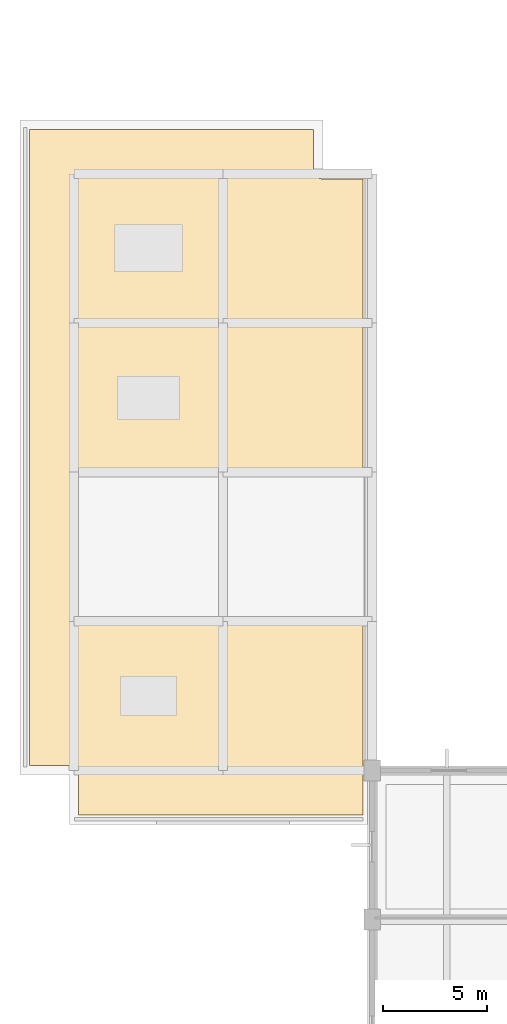
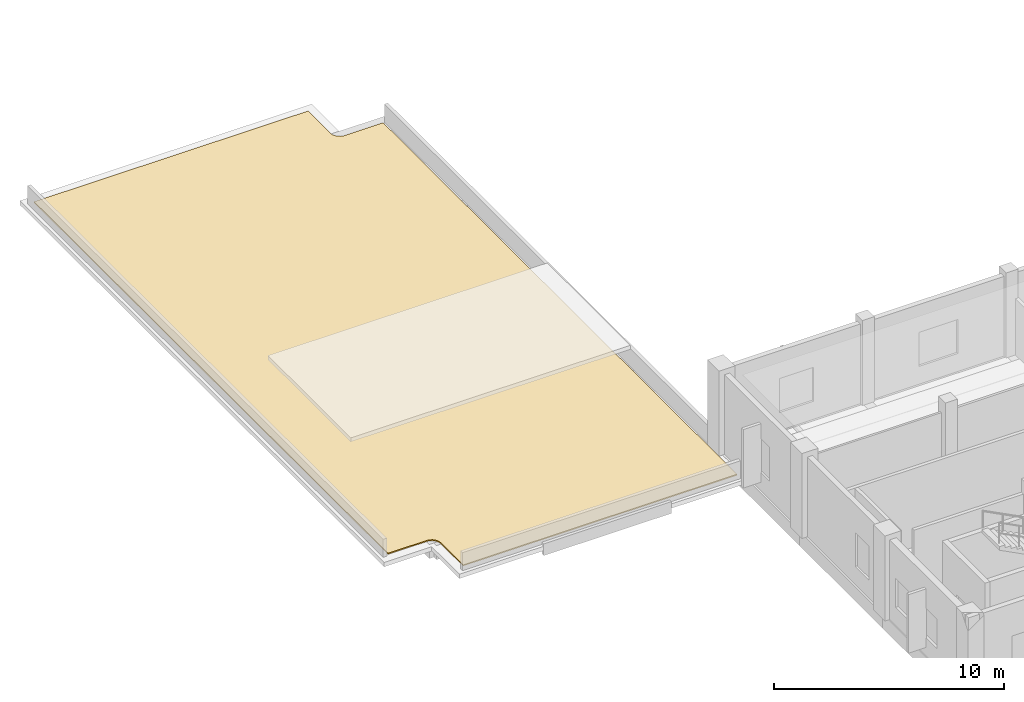
# One storey, part 11 of 14: 1 covering.
"""IFC4 building model written with IfcOpenShell, lengths in metres."""

import ifcopenshell
import ifcopenshell.guid

model = None  # the IFC model being written
_history = None  # IfcOwnerHistory: only IFC2X3 demands one
_inside = {}  # id of a spatial element -> (the spatial element, [elements in it])
_under = {}  # id of a project, library or spatial element -> (it, [spatial elements below it])
_declared = {}  # id of a project -> (the project, [libraries it declares])
_typed = {}  # id of a type object -> (the type object, [elements of that type])
_made_of = {}  # id of a material, layer set ... -> (it, [elements and type objects made of it])


def new_model(schema):
    """Start an empty IFC model of exactly this schema.

    Asked for "IFC4X3", IfcOpenShell would pick the latest addendum, in which some entities
    have other attributes; the version numbers below select the first issue.
    IFC2X3 requires an IfcOwnerHistory on every rooted entity: one is made here for all.
    """
    global model, _history
    if schema == "IFC4X3":
        model = ifcopenshell.file(schema_version=(4, 3, 0, 0))
    else:
        model = ifcopenshell.file(schema=schema)
    _inside.clear()
    _under.clear()
    _declared.clear()
    _typed.clear()
    _made_of.clear()
    _history = None
    if model.schema == "IFC2X3":
        org = make("IfcOrganization", Name="unknown")
        user = make(
            "IfcPersonAndOrganization",
            ThePerson=make("IfcPerson", FamilyName="unknown"),
            TheOrganization=org,
        )
        app = make(
            "IfcApplication",
            ApplicationDeveloper=org,
            Version="unknown",
            ApplicationFullName="unknown",
            ApplicationIdentifier="unknown",
        )
        _history = make(
            "IfcOwnerHistory",
            OwningUser=user,
            OwningApplication=app,
            ChangeAction="ADDED",
            CreationDate=0,
        )
    return model


def make(cls, **values):
    """One entity of the class cls with the attributes given. An attribute that is None is left unset."""
    return model.create_entity(
        cls, **{name: value for name, value in values.items() if value is not None}
    )


def rooted(cls, **values):
    """An entity with a GlobalId (a new one), such as an element, a storey or a relation."""
    return make(cls, GlobalId=ifcopenshell.guid.new(), OwnerHistory=_history, **values)


def si_unit(unit_type, name, prefix=None):
    """IfcSIUnit, for example si_unit("LENGTHUNIT", "METRE", prefix="MILLI")."""
    return make("IfcSIUnit", UnitType=unit_type, Prefix=prefix, Name=name)


def assignment(units):
    """IfcUnitAssignment: the units of a project."""
    return None if units is None else make("IfcUnitAssignment", Units=units)


def point(xyz):
    """IfcCartesianPoint."""
    return None if xyz is None else make("IfcCartesianPoint", Coordinates=xyz)


def direction(xyz):
    """IfcDirection."""
    return None if xyz is None else make("IfcDirection", DirectionRatios=xyz)


def frame(location, z_axis=None, x_axis=None):
    """IfcAxis2Placement3D, a coordinate frame: its origin and axes. An axis left out is left unset."""
    return make(
        "IfcAxis2Placement3D",
        Location=point(location),
        Axis=direction(z_axis),
        RefDirection=direction(x_axis),
    )


def origin():
    """The frame at (0, 0, 0) with its axes left unset."""
    return frame((0.0, 0.0, 0.0))


def place(relative_to, where):
    """IfcLocalPlacement: puts the frame where relative to a parent placement (None: the world)."""
    return make(
        "IfcLocalPlacement", PlacementRelTo=relative_to, RelativePlacement=where
    )


def context(
    kind, dimensions, precision=None, world=None, true_north=None, identifier=None
):
    """IfcGeometricRepresentationContext, for example the 3D "Model" context."""
    return make(
        "IfcGeometricRepresentationContext",
        ContextIdentifier=identifier,
        ContextType=kind,
        CoordinateSpaceDimension=dimensions,
        Precision=precision,
        WorldCoordinateSystem=world,
        TrueNorth=true_north,
    )


def subcontext(parent, identifier, kind, view, scale=None):
    """IfcGeometricRepresentationSubContext, for example "Body" below "Model"."""
    return make(
        "IfcGeometricRepresentationSubContext",
        ContextIdentifier=identifier,
        ContextType=kind,
        ParentContext=parent,
        TargetScale=scale,
        TargetView=view,
    )


def project(units=None, contexts=None):
    """IfcProject with its units and contexts."""
    return rooted(
        "IfcProject",
        Name="project",
        RepresentationContexts=contexts,
        UnitsInContext=assignment(units),
    )


def spatial(cls, under=None, at=None, **own):
    """A site, building, storey or space (cls), placed at a placement, below another one or the project."""
    s = rooted(cls, ObjectPlacement=at, **own)
    if under is not None:
        _under.setdefault(under.id(), (under, []))[1].append(s)
    return s


def polyline(points):
    """IfcPolyline through the points."""
    return make("IfcPolyline", Points=[point(p) for p in points])


def outline(outer, holes=None, kind="AREA"):
    """IfcArbitraryClosedProfileDef: a profile drawn as a closed curve; with holes, ...WithVoids."""
    if holes is None:
        return make("IfcArbitraryClosedProfileDef", ProfileType=kind, OuterCurve=outer)
    return make(
        "IfcArbitraryProfileDefWithVoids",
        ProfileType=kind,
        OuterCurve=outer,
        InnerCurves=holes,
    )


def extrude(swept, where, along, depth):
    """IfcExtrudedAreaSolid: the profile swept, set in the frame where, extruded along a direction by depth."""
    return make(
        "IfcExtrudedAreaSolid",
        SweptArea=swept,
        Position=where,
        ExtrudedDirection=direction(along),
        Depth=depth,
    )


def shape(context_of_items, identifier, shape_type, items):
    """IfcShapeRepresentation: the items that make up one representation, for example the "Body"."""
    return make(
        "IfcShapeRepresentation",
        ContextOfItems=context_of_items,
        RepresentationIdentifier=identifier,
        RepresentationType=shape_type,
        Items=items,
    )


def material(Name=None, Category=None):
    """IfcMaterial."""
    return make("IfcMaterial", Name=Name, Category=Category)


def layer(
    of_material, thickness, ventilated=None, Name=None, Category=None, Priority=None
):
    """IfcMaterialLayer: one layer of a wall or slab, of a material (None: an air gap)."""
    return make(
        "IfcMaterialLayer",
        Material=of_material,
        LayerThickness=thickness,
        IsVentilated=ventilated,
        Name=Name,
        Category=Category,
        Priority=Priority,
    )


def layer_set(layers, Name=None):
    """IfcMaterialLayerSet."""
    return make("IfcMaterialLayerSet", MaterialLayers=layers, LayerSetName=Name)


def made_of(thing, what):
    """Note that an element or type object is made of a material, layer set ...; save() writes the relation."""
    if what is not None:
        _made_of.setdefault(what.id(), (what, []))[1].append(thing)
    return thing


def type_object(cls, material=None, **own):
    """A type object (cls), such as IfcWallType, which elements share."""
    return made_of(rooted(cls, **own), material)


def element(
    cls,
    number,
    at=None,
    inside=None,
    cuts=None,
    type_object=None,
    material=None,
    context=None,
    identifier="Body",
    shape_type=None,
    held_by="IfcProductDefinitionShape",
    body=None,
    shapes=None,
    **own,
):
    """One element of the class cls, such as IfcWall. Its Tag is "e" and its number.

    at: its placement. inside: the storey or other place that contains it. cuts: it is an
    opening in that element (IfcRelVoidsElement). A single representation is given by context,
    identifier, shape_type and body (its items); several are given by shapes. held_by: the class
    of the entity that holds the representations. save() writes the other relations.
    """
    e = rooted(cls, Tag="e%d" % number, ObjectPlacement=at, **own)
    if body is not None:
        shapes = [shape(context, identifier, shape_type, body)]
    if shapes is not None:
        e.Representation = make(held_by, Representations=shapes)
    if inside is not None:
        _inside.setdefault(inside.id(), (inside, []))[1].append(e)
    if cuts is not None:
        rooted(
            "IfcRelVoidsElement", RelatingBuildingElement=cuts, RelatedOpeningElement=e
        )
    if type_object is not None:
        _typed.setdefault(type_object.id(), (type_object, []))[1].append(e)
    return made_of(e, material)


def aggregate(whole, parts):
    """IfcRelAggregates: a whole, such as a stair, and the parts it consists of."""
    return rooted("IfcRelAggregates", RelatingObject=whole, RelatedObjects=parts)


def save(model, path):
    """Write the relations noted so far, then the file.

    IfcRelAggregates (storeys below a building ...), IfcRelContainedInSpatialStructure (elements
    in a storey), IfcRelDefinesByType, IfcRelAssociatesMaterial and IfcRelDeclares: one each for
    every whole, place, type object, material and project.
    """
    for whole, parts in _under.values():
        aggregate(whole, parts)
    for where, things in _inside.values():
        rooted(
            "IfcRelContainedInSpatialStructure",
            RelatedElements=things,
            RelatingStructure=where,
        )
    for kind, things in _typed.values():
        rooted("IfcRelDefinesByType", RelatedObjects=things, RelatingType=kind)
    for what, things in _made_of.values():
        rooted("IfcRelAssociatesMaterial", RelatedObjects=things, RelatingMaterial=what)
    for by, libraries in _declared.values():
        rooted("IfcRelDeclares", RelatingContext=by, RelatedDefinitions=libraries)
    model.write(path)


model = new_model("IFC4")

# Units and contexts
model_context = context("Model", 3, precision=1e-05, world=origin(), true_north=direction((0.0, 1.0)))
body_context = subcontext(model_context, "Body", "Model", "MODEL_VIEW")
ifc_project = project(units=[si_unit("LENGTHUNIT", "METRE"), si_unit("AREAUNIT", "SQUARE_METRE"), si_unit("VOLUMEUNIT", "CUBIC_METRE"), si_unit("PLANEANGLEUNIT", "RADIAN"), si_unit("MASSUNIT", "GRAM", prefix="KILO")], contexts=[model_context])

# Site, building, storey
site_placement = place(None, origin())
site = spatial("IfcSite", under=ifc_project, at=site_placement, CompositionType="ELEMENT")
building_placement = place(site_placement, origin())
building = spatial("IfcBuilding", under=site, at=building_placement, Name="Seraya Terrace Polytechnic", CompositionType="ELEMENT")
storey_placement = place(building_placement, frame((0.0, 0.0, 27.89990234375)))
storey = spatial("IfcBuildingStorey", under=building, at=storey_placement, Name="L06", CompositionType="ELEMENT", Elevation=27.89990234375)

# Covering
ifc_material = material(Name="Insulated TPO waterproof roofing membrane")
ifc_layer = layer(ifc_material, 0.06005859375, Name="RF-C1")
ifc_layer_set = layer_set([ifc_layer], Name="Insulated TPO waterproof roofing membrane")
covering_type = type_object("IfcCoveringType", Name="RF-C1", PredefinedType="ROOFING", material=ifc_layer_set)
covering_placement = place(storey_placement, origin())
element("IfcCovering", 1, at=covering_placement, inside=storey, type_object=covering_type, Name="Waterproof TPO roof covering ROOF-L06-WEST", PredefinedType="ROOFING", context=body_context, shape_type="SweptSolid", body=[
    extrude(outline(polyline([(29.030029296875, 28.60009765625), (28.99560546875, 28.772216796875), (28.927978515625, 28.885498046875), (28.830078125, 28.97412109375), (28.667724609375, 29.04150390625), (26.64990234375, 29.050048828125), (26.64990234375, 59.75), (40.3701171875, 59.75), (40.372314453125, 57.755859375), (40.404296875, 57.627685546875), (40.501708984375, 57.481689453125), (40.647705078125, 57.38427734375), (40.77587890625, 57.352294921875), (42.75, 57.35009765625), (42.75, 26.64990234375), (29.030029296875, 26.64990234375), (29.030029296875, 28.60009765625)])), origin(), (0.0, 0.0, 1.0), 0.06005859375),
])

save(model, "model.ifc")
